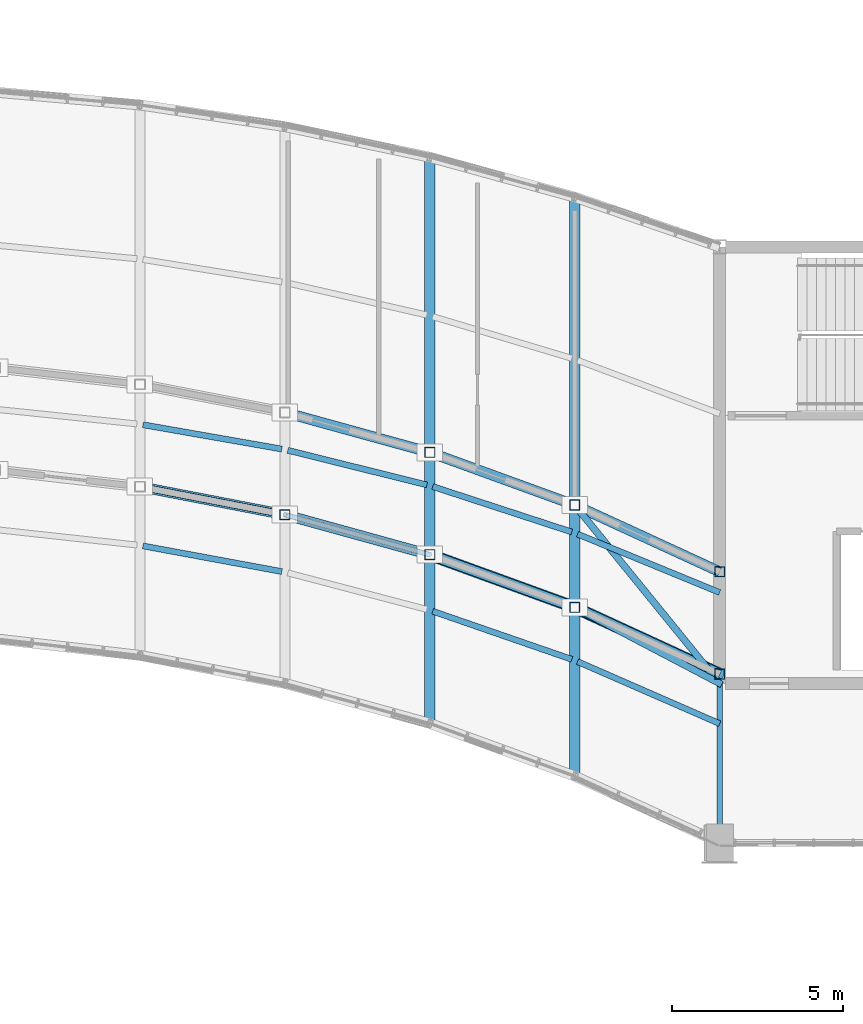
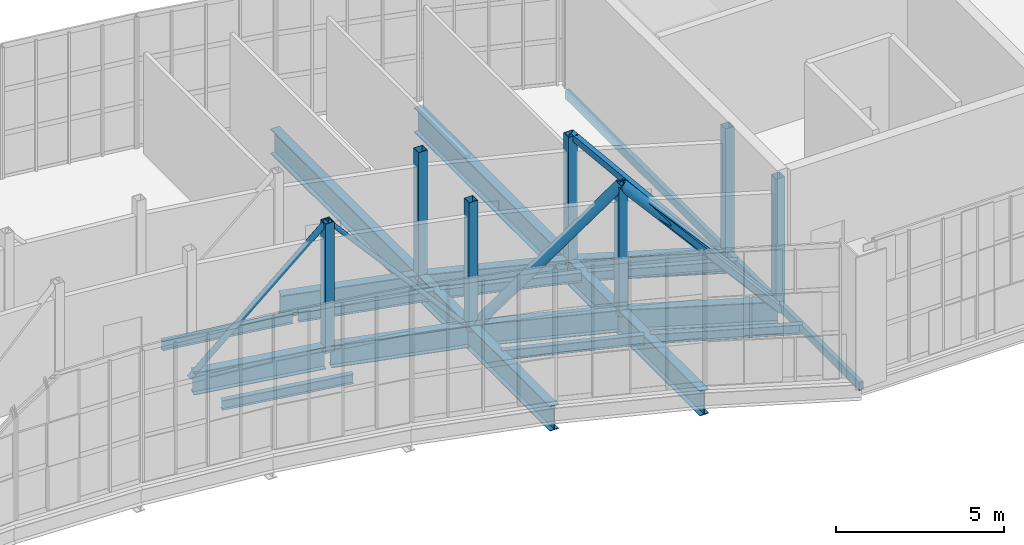
# One storey, part 22 of 66: 17 beams, 13 members.
"""IFC4 building model written with IfcOpenShell, lengths in metres."""

from ifc_helpers import new_model, si_unit, direction, frame, origin, origin_2d, place, context, subcontext, project, spatial, hollow_rectangle, hollow_circle, i_section, extrude, material, material_profile, profile_set, type_object, element, save


model = new_model("IFC4")

# Units and contexts
model_context = context("Model", 3, precision=1e-05, world=origin(), true_north=direction((0.0, 1.0)))
body_context = subcontext(model_context, "Body", "Model", "MODEL_VIEW")
ifc_project = project(units=[si_unit("LENGTHUNIT", "METRE"), si_unit("AREAUNIT", "SQUARE_METRE"), si_unit("VOLUMEUNIT", "CUBIC_METRE"), si_unit("PLANEANGLEUNIT", "RADIAN"), si_unit("MASSUNIT", "GRAM", prefix="KILO")], contexts=[model_context])

# Site, building, storey
site_placement = place(None, origin())
site = spatial("IfcSite", under=ifc_project, at=site_placement, CompositionType="ELEMENT")
building_placement = place(site_placement, origin())
building = spatial("IfcBuilding", under=site, at=building_placement, Name="Solvikara Media Centre", CompositionType="ELEMENT")
storey_placement = place(building_placement, frame((0.0, 0.0, 19.800048828125)))
storey = spatial("IfcBuildingStorey", under=building, at=storey_placement, Name="L04", CompositionType="ELEMENT", Elevation=19.800048828125)

# Beams
ifc_material = material(Name="Steel S355JR", Category="steel")
ifc_material_profile_1 = material_profile(ifc_material, i_section(OverallWidth=0.300048828125, OverallDepth=0.89990234375, WebThickness=0.01611328125, FlangeThickness=0.028076171875, at=origin_2d()), Name="WF 900x300x16x28")
ifc_profile_set_1 = profile_set([ifc_material_profile_1], Name="Steel S355JR")
beam_type_1 = type_object("IfcBeamType", Name="BM-15", PredefinedType="BEAM", material=ifc_profile_set_1)
beam_1_placement = place(storey_placement, frame((119.0, 22.823974609375, -0.672119140625), z_axis=(0.0, 1.0, 0.0), x_axis=(-1.0, 0.0, 0.0)))
element("IfcBeam", 1, at=beam_1_placement, inside=storey, type_object=beam_type_1, Name="BG-L04-NS-10", PredefinedType="BEAM", context=body_context, shape_type="SweptSolid", body=[
    extrude(i_section(OverallWidth=0.300048828125, OverallDepth=0.89990234375, WebThickness=0.01611328125, FlangeThickness=0.028076171875, at=origin_2d()), origin(), (0.0, 0.0, 1.0), 16.60693359375),
])
beam_2_placement = place(storey_placement, frame((123.25, 21.279052734375, -0.672119140625), z_axis=(0.0, 1.0, 0.0), x_axis=(-1.0, 0.0, 0.0)))
element("IfcBeam", 2, at=beam_2_placement, inside=storey, type_object=beam_type_1, Name="BG-L04-NS-11", PredefinedType="BEAM", context=body_context, shape_type="SweptSolid", body=[
    extrude(i_section(OverallWidth=0.300048828125, OverallDepth=0.89990234375, WebThickness=0.01611328125, FlangeThickness=0.028076171875, at=origin_2d()), origin(), (0.0, 0.0, 1.0), 16.98095703125),
])
ifc_material_profile_2 = material_profile(ifc_material, i_section(OverallWidth=0.300048828125, OverallDepth=0.800048828125, WebThickness=0.013916015625, FlangeThickness=0.02587890625, at=origin_2d()), Name="WF 800x300x14x26")
ifc_profile_set_2 = profile_set([ifc_material_profile_2], Name="Steel S355JR")
beam_type_2 = type_object("IfcBeamType", Name="BM-16", PredefinedType="BEAM", material=ifc_profile_set_2)
beam_3_placement = place(storey_placement, frame((110.587890625, 29.7509765625, -0.6220703125), z_axis=(0.981801087979, -0.189912147171, 0.0), x_axis=(0.189912147171, 0.981801087979, 0.0)))
element("IfcBeam", 3, at=beam_3_placement, inside=storey, type_object=beam_type_2, Name="B-L04-SPNS-08", PredefinedType="BEAM", context=body_context, shape_type="SweptSolid", body=[
    extrude(i_section(OverallWidth=0.300048828125, OverallDepth=0.800048828125, WebThickness=0.013916015625, FlangeThickness=0.02587890625, at=origin_2d()), origin(), (0.0, 0.0, 1.0), 4.149658203125),
])
for number, where, z_axis, x_axis, name in (
    (4, (114.8369140625, 28.922119140625, -0.6220703125), (0.964019154447, -0.265832785522, 0.0), (0.265832785522, 0.964019154447, 0.0), "B-L04-SPNS-09"),
    (5, (114.8369140625, 31.922119140625, -0.6220703125), (0.964019154447, -0.265832785522, 0.0), (0.265832785522, 0.964019154447, 0.0), "B-L04-SPNN-09"),
):
    element("IfcBeam", number, at=place(storey_placement, frame(where, z_axis=z_axis, x_axis=x_axis)), inside=storey, type_object=beam_type_2, Name=name, PredefinedType="BEAM", context=body_context, shape_type="SweptSolid", body=[
        extrude(i_section(OverallWidth=0.300048828125, OverallDepth=0.800048828125, WebThickness=0.013916015625, FlangeThickness=0.02587890625, at=origin_2d()), origin(), (0.0, 0.0, 1.0), 4.228271484375),
    ])
for number, where, z_axis, x_axis, name in (
    (6, (119.0849609375, 27.742919921875, -0.6220703125), (0.939849238439, -0.341589532927, 0.0), (0.341589532927, 0.939849238439, 0.0), "B-L04-SPNS-10"),
    (7, (119.0849609375, 30.742919921875, -0.6220703125), (0.939849238439, -0.341589532927, 0.0), (0.341589532927, 0.939849238439, 0.0), "B-L04-SPNN-10"),
):
    element("IfcBeam", number, at=place(storey_placement, frame(where, z_axis=z_axis, x_axis=x_axis)), inside=storey, type_object=beam_type_2, Name=name, PredefinedType="BEAM", context=body_context, shape_type="SweptSolid", body=[
        extrude(i_section(OverallWidth=0.300048828125, OverallDepth=0.800048828125, WebThickness=0.013916015625, FlangeThickness=0.02587890625, at=origin_2d()), origin(), (0.0, 0.0, 1.0), 4.34130859375),
    ])
for number, where, z_axis, x_axis, name in (
    (8, (123.33203125, 26.19091796875, -0.6220703125), (0.908513080243, -0.417856414367, 0.0), (0.417856414367, 0.908513080243, 0.0), "B-L04-SPNS-11"),
    (9, (123.33203125, 29.19091796875, -0.6220703125), (0.908513080243, -0.417856414367, 0.0), (0.417856414367, 0.908513080243, 0.0), "B-L04-SPNN-11"),
):
    element("IfcBeam", number, at=place(storey_placement, frame(where, z_axis=z_axis, x_axis=x_axis)), inside=storey, type_object=beam_type_2, Name=name, PredefinedType="BEAM", context=body_context, shape_type="SweptSolid", body=[
        extrude(i_section(OverallWidth=0.300048828125, OverallDepth=0.800048828125, WebThickness=0.013916015625, FlangeThickness=0.02587890625, at=origin_2d()), origin(), (0.0, 0.0, 1.0), 4.587646484375),
    ])
ifc_material_profile_3 = material_profile(ifc_material, i_section(OverallWidth=0.175048828125, OverallDepth=0.35009765625, WebThickness=0.007080078125, FlangeThickness=0.010986328125, at=origin_2d()), Name="WF 350x175x7x11")
ifc_profile_set_3 = profile_set([ifc_material_profile_3], Name="Steel S355JR")
beam_type_3 = type_object("IfcBeamType", Name="BM-22", PredefinedType="JOIST", material=ifc_profile_set_3)
beam_4_placement = place(storey_placement, frame((110.589111328125, 28.031005859375, -0.39697265625), z_axis=(0.983371814175, -0.181603620797, 0.0), x_axis=(0.181603620797, 0.983371814175, 0.0)))
element("IfcBeam", 10, at=beam_4_placement, inside=storey, type_object=beam_type_3, Name="BJ-L04-08-20", PredefinedType="JOIST", context=body_context, shape_type="SweptSolid", body=[
    extrude(i_section(OverallWidth=0.175048828125, OverallDepth=0.35009765625, WebThickness=0.007080078125, FlangeThickness=0.010986328125, at=origin_2d()), origin(), (0.0, 0.0, 1.0), 4.140625),
])
beam_5_placement = place(storey_placement, frame((110.589111328125, 31.583984375, -0.39697265625), z_axis=(0.985016925608, -0.172457694134, 0.0), x_axis=(0.172457694134, 0.985016925608, 0.0)))
element("IfcBeam", 11, at=beam_5_placement, inside=storey, type_object=beam_type_3, Name="BJ-L04-08-42", PredefinedType="JOIST", context=body_context, shape_type="SweptSolid", body=[
    extrude(i_section(OverallWidth=0.175048828125, OverallDepth=0.35009765625, WebThickness=0.007080078125, FlangeThickness=0.010986328125, at=origin_2d()), origin(), (0.0, 0.0, 1.0), 4.1337890625),
])
beam_6_placement = place(storey_placement, frame((114.8369140625, 30.833984375, -0.39697265625), z_axis=(0.970483457867, -0.241167696855, 0.0), x_axis=(0.241167696855, 0.970483457867, 0.0)))
element("IfcBeam", 12, at=beam_6_placement, inside=storey, type_object=beam_type_3, Name="BJ-L04-09-42", PredefinedType="JOIST", context=body_context, shape_type="SweptSolid", body=[
    extrude(i_section(OverallWidth=0.175048828125, OverallDepth=0.35009765625, WebThickness=0.007080078125, FlangeThickness=0.010986328125, at=origin_2d()), origin(), (0.0, 0.0, 1.0), 4.2001953125),
])
beam_7_placement = place(storey_placement, frame((119.0849609375, 26.115966796875, -0.39697265625), z_axis=(0.945019683137, -0.327013453063, 0.0), x_axis=(0.327013453063, 0.945019683137, 0.0)))
element("IfcBeam", 13, at=beam_7_placement, inside=storey, type_object=beam_type_3, Name="BJ-L04-10-20", PredefinedType="JOIST", context=body_context, shape_type="SweptSolid", body=[
    extrude(i_section(OverallWidth=0.175048828125, OverallDepth=0.35009765625, WebThickness=0.007080078125, FlangeThickness=0.010986328125, at=origin_2d()), origin(), (0.0, 0.0, 1.0), 4.3173828125),
])
beam_8_placement = place(storey_placement, frame((119.0859375, 29.77099609375, -0.39697265625), z_axis=(0.950578037944, -0.310485738447, 0.0), x_axis=(0.310485738447, 0.950578037944, 0.0)))
element("IfcBeam", 14, at=beam_8_placement, inside=storey, type_object=beam_type_3, Name="BJ-L04-10-42", PredefinedType="JOIST", context=body_context, shape_type="SweptSolid", body=[
    extrude(i_section(OverallWidth=0.175048828125, OverallDepth=0.35009765625, WebThickness=0.007080078125, FlangeThickness=0.010986328125, at=origin_2d()), origin(), (0.0, 0.0, 1.0), 4.2900390625),
])
beam_9_placement = place(storey_placement, frame((123.33203125, 24.638916015625, -0.39697265625), z_axis=(0.916452774581, -0.40014286444, 0.0), x_axis=(0.40014286444, 0.916452774581, 0.0)))
element("IfcBeam", 15, at=beam_9_placement, inside=storey, type_object=beam_type_3, Name="BJ-L04-11-20", PredefinedType="JOIST", context=body_context, shape_type="SweptSolid", body=[
    extrude(i_section(OverallWidth=0.175048828125, OverallDepth=0.35009765625, WebThickness=0.007080078125, FlangeThickness=0.010986328125, at=origin_2d()), origin(), (0.0, 0.0, 1.0), 4.5478515625),
])
beam_10_placement = place(storey_placement, frame((123.3330078125, 28.376953125, -0.39697265625), z_axis=(0.924906874056, -0.380193732621, 0.0), x_axis=(0.380193732621, 0.924906874056, 0.0)))
element("IfcBeam", 16, at=beam_10_placement, inside=storey, type_object=beam_type_3, Name="BJ-L04-11-42", PredefinedType="JOIST", context=body_context, shape_type="SweptSolid", body=[
    extrude(i_section(OverallWidth=0.175048828125, OverallDepth=0.35009765625, WebThickness=0.007080078125, FlangeThickness=0.010986328125, at=origin_2d()), origin(), (0.0, 0.0, 1.0), 4.50537109375),
])
ifc_material_profile_4 = material_profile(ifc_material, hollow_rectangle(XDim=0.14990234375, YDim=0.300048828125, WallThickness=0.010009765625, at=origin_2d()), Name="RHS 300x150x10")
ifc_profile_set_4 = profile_set([ifc_material_profile_4], Name="Steel S355JR")
beam_type_4 = type_object("IfcBeamType", Name="BM-35", PredefinedType="BEAM", material=ifc_profile_set_4)
beam_11_placement = place(storey_placement, frame((127.5, 19.323974609375, -0.3720703125), z_axis=(0.0, 1.0, 0.0), x_axis=(-1.0, 0.0, 0.0)))
element("IfcBeam", 17, at=beam_11_placement, inside=storey, type_object=beam_type_4, Name="B-L04-Y1535", PredefinedType="BEAM", context=body_context, shape_type="SweptSolid", body=[
    extrude(hollow_rectangle(XDim=0.14990234375, YDim=0.300048828125, WallThickness=0.010009765625, at=origin_2d()), origin(), (0.0, 0.0, 1.0), 17.47607421875),
])

# Members
ifc_material_profile_5 = material_profile(ifc_material, hollow_circle(Radius=0.177734375, WallThickness=0.012451171875, at=origin_2d()), Name="CHS 355.6x12.5")
ifc_profile_set_5 = profile_set([ifc_material_profile_5], Name="Steel S355JR")
member_type_1 = type_object("IfcMemberType", Name="MB-01", PredefinedType="CHORD", material=ifc_profile_set_5)
member_1_placement = place(storey_placement, frame((119.0, 27.77392578125, -0.449951171875), z_axis=(0.651622673154, -0.236872028706, 0.720610528544), x_axis=(0.341639024821, 0.939831249065, 0.0)))
element("IfcMember", 18, at=member_1_placement, inside=storey, type_object=member_type_1, Name="WTR-L04-S-DA10", PredefinedType="CHORD", context=body_context, shape_type="SweptSolid", body=[
    extrude(hollow_circle(Radius=0.177734375, WallThickness=0.012451171875, at=origin_2d()), origin(), (0.0, 0.0, 1.0), 6.522216796875),
])
member_2_placement = place(storey_placement, frame((123.25, 26.22900390625, 4.25), z_axis=(0.640898285168, -0.294824992396, -0.708750740336), x_axis=(0.417919391673, 0.908484112169, 0.0)))
element("IfcMember", 19, at=member_2_placement, inside=storey, type_object=member_type_1, Name="WTR-L04-S-DB11", PredefinedType="CHORD", context=body_context, shape_type="SweptSolid", body=[
    extrude(hollow_circle(Radius=0.177734375, WallThickness=0.012451171875, at=origin_2d()), origin(), (0.0, 0.0, 1.0), 6.63134765625),
])
ifc_material_profile_6 = material_profile(ifc_material, hollow_circle(Radius=0.096923828125, WallThickness=0.008056640625, at=origin_2d()), Name="CHS 193.7x8")
ifc_profile_set_6 = profile_set([ifc_material_profile_6], Name="Steel S355JR")
member_type_2 = type_object("IfcMemberType", Name="MB-06", PredefinedType="BRACE", material=ifc_profile_set_6)
member_3_placement = place(storey_placement, frame((110.5, 29.76806640625, -0.449951171875), z_axis=(0.665137067971, -0.128648696453, 0.735555704016), x_axis=(0.189897396029, 0.981803941213, 0.0)))
element("IfcMember", 20, at=member_3_placement, inside=storey, type_object=member_type_2, Name="WTR-L04-S-DA08", PredefinedType="BRACE", context=body_context, shape_type="SweptSolid", body=[
    extrude(hollow_circle(Radius=0.096923828125, WallThickness=0.008056640625, at=origin_2d()), origin(), (0.0, 0.0, 1.0), 6.3896484375),
])
ifc_material_profile_7 = material_profile(ifc_material, hollow_rectangle(XDim=0.300048828125, YDim=0.300048828125, WallThickness=0.012451171875, at=origin_2d()), Name="RHS 300x300x12.5")
ifc_profile_set_7 = profile_set([ifc_material_profile_7], Name="Steel S355JR")
member_type_3 = type_object("IfcMemberType", Name="MB-11", PredefinedType="CHORD", material=ifc_profile_set_7)
for number, where, z_axis, x_axis, name in (
    (21, (114.75, 28.946044921875, -0.449951171875), (0.0, 0.0, 1.0), (1.0, 0.0, 0.0), "WTR-L04-S-V09"),
    (22, (119.0, 27.77392578125, -0.449951171875), (0.0, 0.0, 1.0), (1.0, 0.0, 0.0), "WTR-L04-S-V10"),
    (23, (123.25, 26.22900390625, -0.449951171875), (0.0, 0.0, 1.0), (1.0, 0.0, 0.0), "WTR-L04-S-V11"),
    (24, (127.5, 24.27392578125, -0.449951171875), (0.0, 0.0, 1.0), (1.0, 0.0, 0.0), "WTR-L04-S-V12"),
    (25, (119.0, 30.77392578125, -0.449951171875), (0.0, 0.0, 1.0), (1.0, 0.0, 0.0), "WTR-L04-N-V10"),
    (26, (123.25, 29.22900390625, -0.449951171875), (0.0, 0.0, 1.0), (1.0, 0.0, 0.0), "WTR-L04-N-V11"),
    (27, (127.5, 27.27392578125, -0.449951171875), (0.0, 0.0, 1.0), (1.0, 0.0, 0.0), "WTR-L04-N-V12"),
):
    element("IfcMember", number, at=place(storey_placement, frame(where, z_axis=z_axis, x_axis=x_axis)), inside=storey, type_object=member_type_3, Name=name, PredefinedType="CHORD", context=body_context, shape_type="SweptSolid", body=[
        extrude(hollow_rectangle(XDim=0.300048828125, YDim=0.300048828125, WallThickness=0.012451171875, at=origin_2d()), origin(), (0.0, 0.0, 1.0), 4.699951171875),
    ])
ifc_material_profile_8 = material_profile(ifc_material, hollow_rectangle(XDim=0.199951171875, YDim=0.199951171875, WallThickness=0.008056640625, at=origin_2d()), Name="RHS 200x200x8")
ifc_profile_set_8 = profile_set([ifc_material_profile_8], Name="Steel S355JR")
member_type_4 = type_object("IfcMemberType", Name="MB-13", PredefinedType="BRACE", material=ifc_profile_set_8)
member_4_placement = place(storey_placement, frame((127.5, 24.0, -0.449951171875), z_axis=(-0.632706040868, 0.331836290965, 0.699691176054), x_axis=(-0.464466958116, -0.885590449823, 0.0)))
element("IfcMember", 28, at=member_4_placement, inside=storey, type_object=member_type_4, Name="WTR-L04-S-ANCE", PredefinedType="BRACE", context=body_context, shape_type="SweptSolid", body=[
    extrude(hollow_rectangle(XDim=0.199951171875, YDim=0.199951171875, WallThickness=0.008056640625, at=origin_2d()), origin(), (0.0, 0.0, 1.0), 6.71728515625),
])
member_5_placement = place(storey_placement, frame((127.5, 24.0, -0.449951171875), z_axis=(-0.5173145151, 0.636479910639, 0.572083049758), x_axis=(-0.77600981283, -0.63072083396, 0.0)))
element("IfcMember", 29, at=member_5_placement, inside=storey, type_object=member_type_4, Name="WTR-L04-N-ANCE", PredefinedType="BRACE", context=body_context, shape_type="SweptSolid", body=[
    extrude(hollow_rectangle(XDim=0.199951171875, YDim=0.199951171875, WallThickness=0.008056640625, at=origin_2d()), origin(), (0.0, 0.0, 1.0), 8.215576171875),
])
ifc_material_profile_9 = material_profile(ifc_material, hollow_circle(Radius=0.076171875, WallThickness=0.00634765625, at=origin_2d()), Name="CHS 152.4x6.3")
ifc_profile_set_9 = profile_set([ifc_material_profile_9], Name="Steel S355JR")
member_type_5 = type_object("IfcMemberType", Name="MB-29", PredefinedType="BRACE", material=ifc_profile_set_9)
member_6_placement = place(storey_placement, frame((114.75, 28.946044921875, 4.25), z_axis=(0.659522142118, -0.181891417986, -0.729346321112), x_axis=(0.265866889221, 0.964009749544, 0.0)))
element("IfcMember", 30, at=member_6_placement, inside=storey, type_object=member_type_5, Name="WTR-L04-S-DB09", PredefinedType="BRACE", context=body_context, shape_type="SweptSolid", body=[
    extrude(hollow_circle(Radius=0.076171875, WallThickness=0.00634765625, at=origin_2d()), origin(), (0.0, 0.0, 1.0), 6.444091796875),
])

save(model, "model.ifc")
